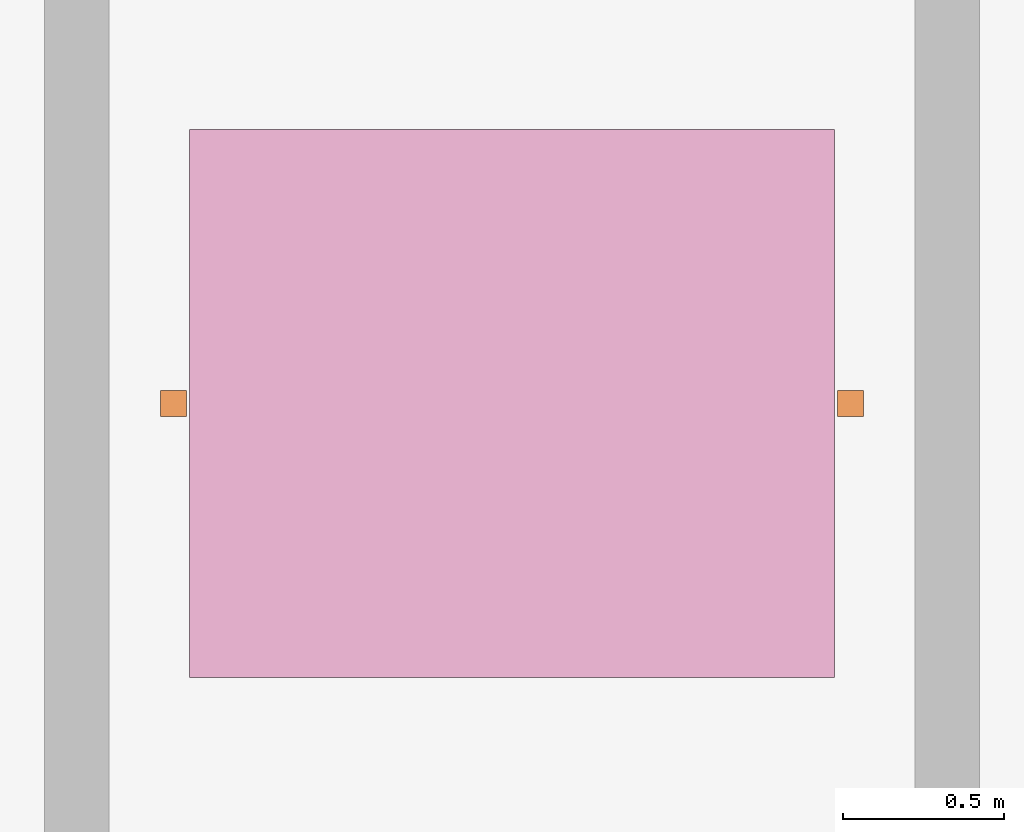
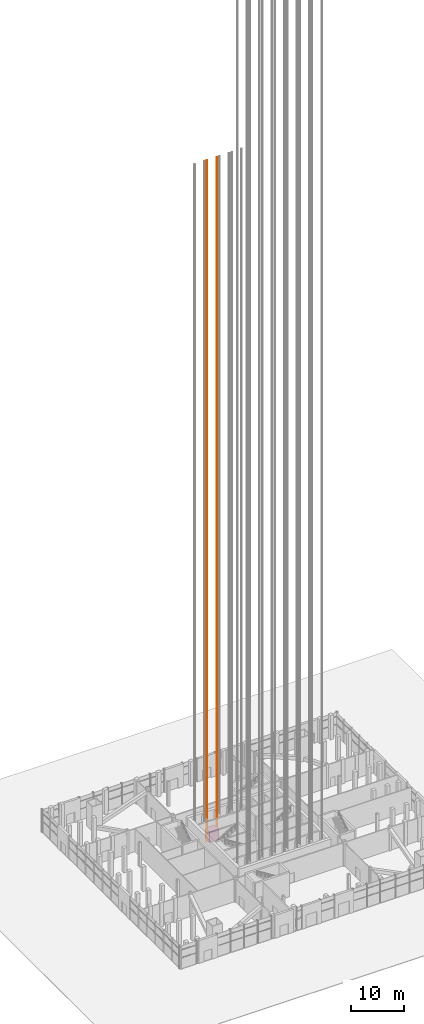
# One storey, part 25 of 27: 2 proxies, 1 transport element.
"""IFC4 building model written with IfcOpenShell, lengths in metres."""

from ifc_helpers import new_model, si_unit, direction, frame, origin, origin_2d, place, context, subcontext, project, spatial, rectangle, extrude, material, type_object, element, aggregate, save


model = new_model("IFC4")

# Units and contexts
model_context = context("Model", 3, precision=1e-05, world=origin(), true_north=direction((0.0, 1.0)))
body_context = subcontext(model_context, "Body", "Model", "MODEL_VIEW")
ifc_project = project(units=[si_unit("LENGTHUNIT", "METRE"), si_unit("AREAUNIT", "SQUARE_METRE"), si_unit("VOLUMEUNIT", "CUBIC_METRE"), si_unit("PLANEANGLEUNIT", "RADIAN"), si_unit("MASSUNIT", "GRAM", prefix="KILO")], contexts=[model_context])

# Site, building, storey
site_placement = place(None, origin())
site = spatial("IfcSite", under=ifc_project, at=site_placement, CompositionType="ELEMENT")
building_placement = place(site_placement, origin())
building = spatial("IfcBuilding", under=site, at=building_placement, Name="Turquesa Mirador Hotel Tower", CompositionType="ELEMENT")
storey_placement = place(building_placement, origin())
storey = spatial("IfcBuildingStorey", under=building, at=storey_placement, Name="L00", CompositionType="ELEMENT", Elevation=0.0)

# Transport element, proxies
ifc_material_1 = material(Name="Stainless steel lift car", Category="steel")
transport_element_type = type_object("IfcTransportElementType", Name="PASSENGER LIFT 1600 KG", PredefinedType="ELEVATOR", material=ifc_material_1)
transport_element_placement = place(storey_placement, frame((49.550048828125, 53.050048828125, 0.0), z_axis=(0.0, 0.0, 1.0), x_axis=(1.0, 0.0, 0.0)))
transport_element = element("IfcTransportElement", 1, at=transport_element_placement, inside=storey, type_object=transport_element_type, Name="Lift A2", PredefinedType="ELEVATOR", context=body_context, shape_type="SweptSolid", body=[
    extrude(rectangle(XDim=2.0, YDim=1.699951171875, at=origin_2d()), origin(), (0.0, 0.0, 1.0), 2.39990234375),
])
ifc_material_2 = material(Name="Steel ASTM A992 Grade 50", Category="steel")
building_element_proxy_type = type_object("IfcBuildingElementProxyType", Name="LIFT GUIDE RAIL 80X80", PredefinedType="USERDEFINED", material=ifc_material_2)
proxy_1_placement = place(storey_placement, frame((48.5, 53.050048828125, 0.0), z_axis=(0.0, 0.0, 1.0), x_axis=(1.0, 0.0, 0.0)))
proxy_1 = element("IfcBuildingElementProxy", 2, at=proxy_1_placement, type_object=building_element_proxy_type, Name="Lift A2 guide rail 1", ObjectType="LIFT GUIDE RAIL", PredefinedType="USERDEFINED", context=body_context, shape_type="SweptSolid", body=[
    extrude(rectangle(XDim=0.080078125, YDim=0.080078125, at=origin_2d()), origin(), (0.0, 0.0, 1.0), 156.1201171875),
])
proxy_2_placement = place(storey_placement, frame((50.60009765625, 53.050048828125, 0.0), z_axis=(0.0, 0.0, 1.0), x_axis=(1.0, 0.0, 0.0)))
proxy_2 = element("IfcBuildingElementProxy", 3, at=proxy_2_placement, type_object=building_element_proxy_type, Name="Lift A2 guide rail 2", ObjectType="LIFT GUIDE RAIL", PredefinedType="USERDEFINED", context=body_context, shape_type="SweptSolid", body=[
    extrude(rectangle(XDim=0.080078125, YDim=0.080078125, at=origin_2d()), origin(), (0.0, 0.0, 1.0), 156.1201171875),
])
aggregate(transport_element, [proxy_1, proxy_2])

save(model, "model.ifc")
